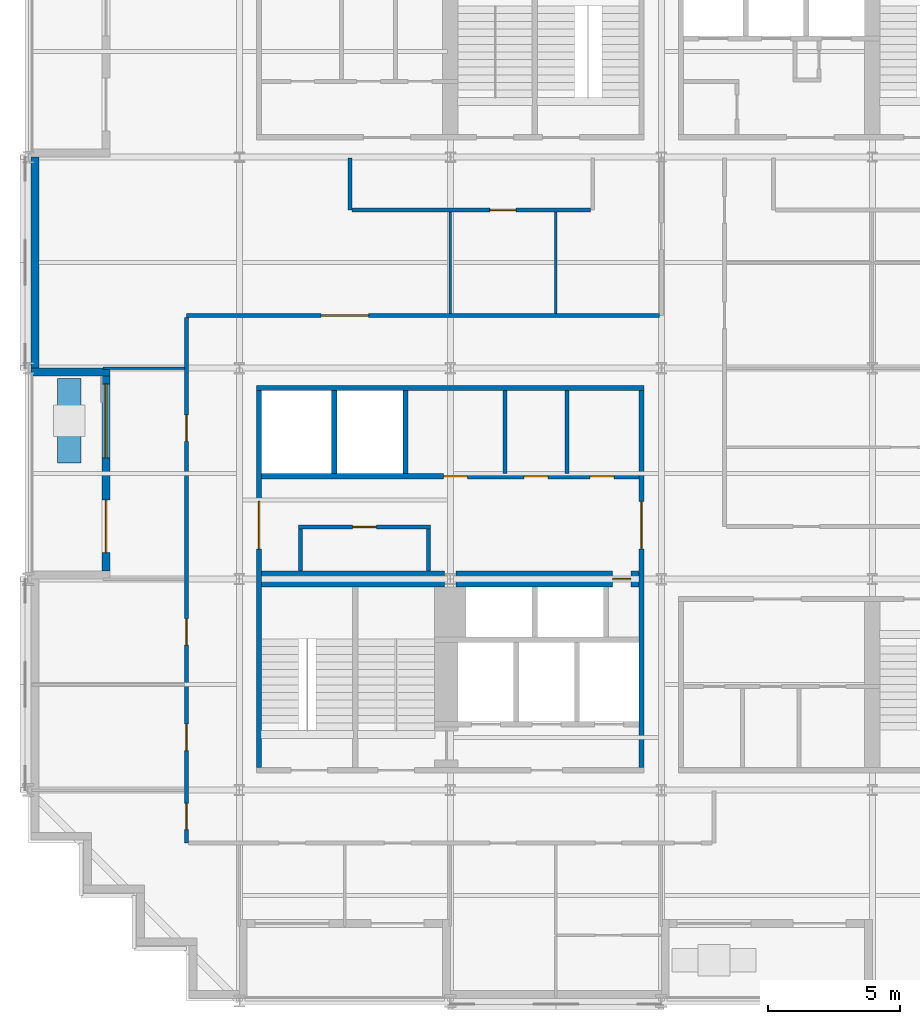
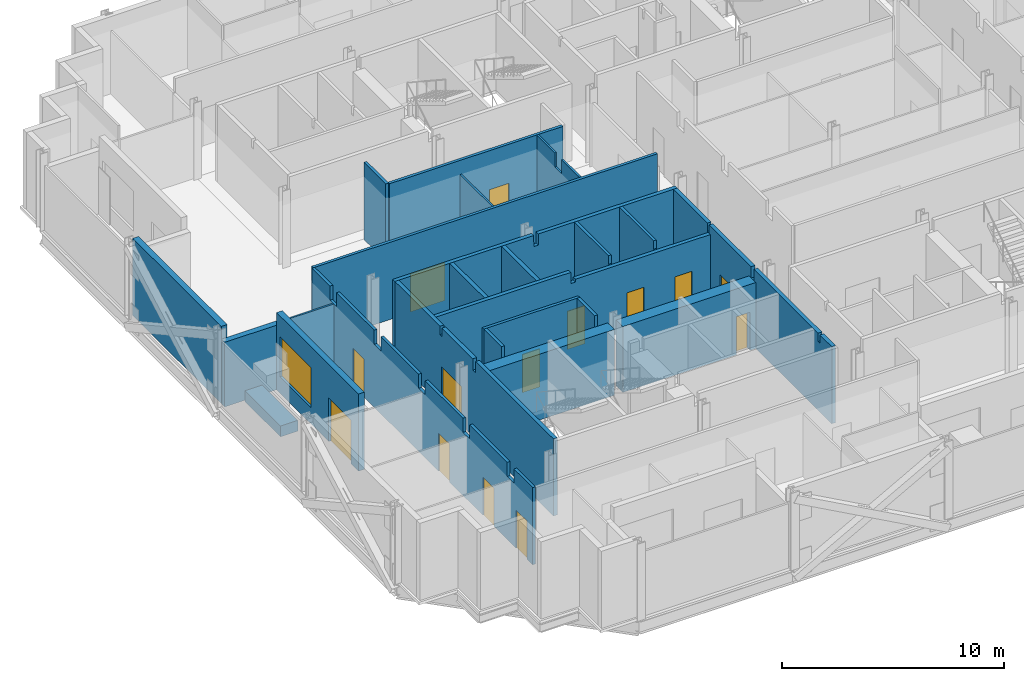
# One storey, part 7 of 15: 24 walls, 14 doors, 1 window, 15 openings.
"""IFC4 building model written with IfcOpenShell, lengths in metres."""

import ifcopenshell
import ifcopenshell.guid

model = None  # the IFC model being written
_history = None  # IfcOwnerHistory: only IFC2X3 demands one
_inside = {}  # id of a spatial element -> (the spatial element, [elements in it])
_under = {}  # id of a project, library or spatial element -> (it, [spatial elements below it])
_declared = {}  # id of a project -> (the project, [libraries it declares])
_typed = {}  # id of a type object -> (the type object, [elements of that type])
_made_of = {}  # id of a material, layer set ... -> (it, [elements and type objects made of it])


def new_model(schema):
    """Start an empty IFC model of exactly this schema.

    Asked for "IFC4X3", IfcOpenShell would pick the latest addendum, in which some entities
    have other attributes; the version numbers below select the first issue.
    IFC2X3 requires an IfcOwnerHistory on every rooted entity: one is made here for all.
    """
    global model, _history
    if schema == "IFC4X3":
        model = ifcopenshell.file(schema_version=(4, 3, 0, 0))
    else:
        model = ifcopenshell.file(schema=schema)
    _inside.clear()
    _under.clear()
    _declared.clear()
    _typed.clear()
    _made_of.clear()
    _history = None
    if model.schema == "IFC2X3":
        org = make("IfcOrganization", Name="unknown")
        user = make(
            "IfcPersonAndOrganization",
            ThePerson=make("IfcPerson", FamilyName="unknown"),
            TheOrganization=org,
        )
        app = make(
            "IfcApplication",
            ApplicationDeveloper=org,
            Version="unknown",
            ApplicationFullName="unknown",
            ApplicationIdentifier="unknown",
        )
        _history = make(
            "IfcOwnerHistory",
            OwningUser=user,
            OwningApplication=app,
            ChangeAction="ADDED",
            CreationDate=0,
        )
    return model


def make(cls, **values):
    """One entity of the class cls with the attributes given. An attribute that is None is left unset."""
    return model.create_entity(
        cls, **{name: value for name, value in values.items() if value is not None}
    )


def rooted(cls, **values):
    """An entity with a GlobalId (a new one), such as an element, a storey or a relation."""
    return make(cls, GlobalId=ifcopenshell.guid.new(), OwnerHistory=_history, **values)


def si_unit(unit_type, name, prefix=None):
    """IfcSIUnit, for example si_unit("LENGTHUNIT", "METRE", prefix="MILLI")."""
    return make("IfcSIUnit", UnitType=unit_type, Prefix=prefix, Name=name)


def assignment(units):
    """IfcUnitAssignment: the units of a project."""
    return None if units is None else make("IfcUnitAssignment", Units=units)


def point(xyz):
    """IfcCartesianPoint."""
    return None if xyz is None else make("IfcCartesianPoint", Coordinates=xyz)


def direction(xyz):
    """IfcDirection."""
    return None if xyz is None else make("IfcDirection", DirectionRatios=xyz)


def frame(location, z_axis=None, x_axis=None):
    """IfcAxis2Placement3D, a coordinate frame: its origin and axes. An axis left out is left unset."""
    return make(
        "IfcAxis2Placement3D",
        Location=point(location),
        Axis=direction(z_axis),
        RefDirection=direction(x_axis),
    )


def frame_2d(location, x_axis=None):
    """IfcAxis2Placement2D, a coordinate frame in the plane: its origin and x axis."""
    return make(
        "IfcAxis2Placement2D", Location=point(location), RefDirection=direction(x_axis)
    )


def origin():
    """The frame at (0, 0, 0) with its axes left unset."""
    return frame((0.0, 0.0, 0.0))


def place(relative_to, where):
    """IfcLocalPlacement: puts the frame where relative to a parent placement (None: the world)."""
    return make(
        "IfcLocalPlacement", PlacementRelTo=relative_to, RelativePlacement=where
    )


def context(
    kind, dimensions, precision=None, world=None, true_north=None, identifier=None
):
    """IfcGeometricRepresentationContext, for example the 3D "Model" context."""
    return make(
        "IfcGeometricRepresentationContext",
        ContextIdentifier=identifier,
        ContextType=kind,
        CoordinateSpaceDimension=dimensions,
        Precision=precision,
        WorldCoordinateSystem=world,
        TrueNorth=true_north,
    )


def subcontext(parent, identifier, kind, view, scale=None):
    """IfcGeometricRepresentationSubContext, for example "Body" below "Model"."""
    return make(
        "IfcGeometricRepresentationSubContext",
        ContextIdentifier=identifier,
        ContextType=kind,
        ParentContext=parent,
        TargetScale=scale,
        TargetView=view,
    )


def project(units=None, contexts=None):
    """IfcProject with its units and contexts."""
    return rooted(
        "IfcProject",
        Name="project",
        RepresentationContexts=contexts,
        UnitsInContext=assignment(units),
    )


def spatial(cls, under=None, at=None, **own):
    """A site, building, storey or space (cls), placed at a placement, below another one or the project."""
    s = rooted(cls, ObjectPlacement=at, **own)
    if under is not None:
        _under.setdefault(under.id(), (under, []))[1].append(s)
    return s


def polyline(points):
    """IfcPolyline through the points."""
    return make("IfcPolyline", Points=[point(p) for p in points])


def profile(cls, at=None, kind="AREA", **sizes):
    """A parametric profile (cls). Its sizes go by their IFC names, for example OverallWidth=200.0."""
    return make(cls, ProfileType=kind, Position=at, **sizes)


def rectangle(**sizes):
    """IfcRectangleProfileDef."""
    return profile("IfcRectangleProfileDef", **sizes)


def outline(outer, holes=None, kind="AREA"):
    """IfcArbitraryClosedProfileDef: a profile drawn as a closed curve; with holes, ...WithVoids."""
    if holes is None:
        return make("IfcArbitraryClosedProfileDef", ProfileType=kind, OuterCurve=outer)
    return make(
        "IfcArbitraryProfileDefWithVoids",
        ProfileType=kind,
        OuterCurve=outer,
        InnerCurves=holes,
    )


def extrude(swept, where, along, depth):
    """IfcExtrudedAreaSolid: the profile swept, set in the frame where, extruded along a direction by depth."""
    return make(
        "IfcExtrudedAreaSolid",
        SweptArea=swept,
        Position=where,
        ExtrudedDirection=direction(along),
        Depth=depth,
    )


def shape(context_of_items, identifier, shape_type, items):
    """IfcShapeRepresentation: the items that make up one representation, for example the "Body"."""
    return make(
        "IfcShapeRepresentation",
        ContextOfItems=context_of_items,
        RepresentationIdentifier=identifier,
        RepresentationType=shape_type,
        Items=items,
    )


def material(Name=None, Category=None):
    """IfcMaterial."""
    return make("IfcMaterial", Name=Name, Category=Category)


def layer(
    of_material, thickness, ventilated=None, Name=None, Category=None, Priority=None
):
    """IfcMaterialLayer: one layer of a wall or slab, of a material (None: an air gap)."""
    return make(
        "IfcMaterialLayer",
        Material=of_material,
        LayerThickness=thickness,
        IsVentilated=ventilated,
        Name=Name,
        Category=Category,
        Priority=Priority,
    )


def layer_set(layers, Name=None):
    """IfcMaterialLayerSet."""
    return make("IfcMaterialLayerSet", MaterialLayers=layers, LayerSetName=Name)


def made_of(thing, what):
    """Note that an element or type object is made of a material, layer set ...; save() writes the relation."""
    if what is not None:
        _made_of.setdefault(what.id(), (what, []))[1].append(thing)
    return thing


def type_object(cls, material=None, **own):
    """A type object (cls), such as IfcWallType, which elements share."""
    return made_of(rooted(cls, **own), material)


def element(
    cls,
    number,
    at=None,
    inside=None,
    cuts=None,
    type_object=None,
    material=None,
    context=None,
    identifier="Body",
    shape_type=None,
    held_by="IfcProductDefinitionShape",
    body=None,
    shapes=None,
    **own,
):
    """One element of the class cls, such as IfcWall. Its Tag is "e" and its number.

    at: its placement. inside: the storey or other place that contains it. cuts: it is an
    opening in that element (IfcRelVoidsElement). A single representation is given by context,
    identifier, shape_type and body (its items); several are given by shapes. held_by: the class
    of the entity that holds the representations. save() writes the other relations.
    """
    e = rooted(cls, Tag="e%d" % number, ObjectPlacement=at, **own)
    if body is not None:
        shapes = [shape(context, identifier, shape_type, body)]
    if shapes is not None:
        e.Representation = make(held_by, Representations=shapes)
    if inside is not None:
        _inside.setdefault(inside.id(), (inside, []))[1].append(e)
    if cuts is not None:
        rooted(
            "IfcRelVoidsElement", RelatingBuildingElement=cuts, RelatedOpeningElement=e
        )
    if type_object is not None:
        _typed.setdefault(type_object.id(), (type_object, []))[1].append(e)
    return made_of(e, material)


def fill(opening, filler):
    """IfcRelFillsElement: the door or window that sits in an opening."""
    return rooted(
        "IfcRelFillsElement",
        RelatingOpeningElement=opening,
        RelatedBuildingElement=filler,
    )


def aggregate(whole, parts):
    """IfcRelAggregates: a whole, such as a stair, and the parts it consists of."""
    return rooted("IfcRelAggregates", RelatingObject=whole, RelatedObjects=parts)


def save(model, path):
    """Write the relations noted so far, then the file.

    IfcRelAggregates (storeys below a building ...), IfcRelContainedInSpatialStructure (elements
    in a storey), IfcRelDefinesByType, IfcRelAssociatesMaterial and IfcRelDeclares: one each for
    every whole, place, type object, material and project.
    """
    for whole, parts in _under.values():
        aggregate(whole, parts)
    for where, things in _inside.values():
        rooted(
            "IfcRelContainedInSpatialStructure",
            RelatedElements=things,
            RelatingStructure=where,
        )
    for kind, things in _typed.values():
        rooted("IfcRelDefinesByType", RelatedObjects=things, RelatingType=kind)
    for what, things in _made_of.values():
        rooted("IfcRelAssociatesMaterial", RelatedObjects=things, RelatingMaterial=what)
    for by, libraries in _declared.values():
        rooted("IfcRelDeclares", RelatingContext=by, RelatedDefinitions=libraries)
    model.write(path)


model = new_model("IFC4")

# Units and contexts
model_context = context("Model", 3, precision=1e-05, world=origin(), true_north=direction((0.0, 1.0)))
body_context = subcontext(model_context, "Body", "Model", "MODEL_VIEW")
ifc_project = project(units=[si_unit("LENGTHUNIT", "METRE"), si_unit("AREAUNIT", "SQUARE_METRE"), si_unit("VOLUMEUNIT", "CUBIC_METRE"), si_unit("PLANEANGLEUNIT", "RADIAN"), si_unit("MASSUNIT", "GRAM", prefix="KILO")], contexts=[model_context])

# Site, building, storey
site_placement = place(None, origin())
site = spatial("IfcSite", under=ifc_project, at=site_placement, CompositionType="ELEMENT")
building_placement = place(site_placement, origin())
building = spatial("IfcBuilding", under=site, at=building_placement, Name="Immortelle Media Tower", CompositionType="ELEMENT")
storey_placement = place(building_placement, frame((0.0, 0.0, 70.0)))
storey = spatial("IfcBuildingStorey", under=building, at=storey_placement, Name="L12", CompositionType="ELEMENT", Elevation=70.0)

# Wall, opening, door
ifc_material_1 = material(Name="Fire-rated masonry blockwork", Category="masonry")
ifc_layer_1 = layer(ifc_material_1, 0.60009765625)
ifc_layer_set_1 = layer_set([ifc_layer_1], Name="Fire-rated masonry blockwork")
wall_type_1 = type_object("IfcWallType", Name="Core grid-line wall 600", PredefinedType="PARTITIONING", material=ifc_layer_set_1)
wall_1_placement = place(storey_placement, frame((16.218505859375, 16.0, 0.0), z_axis=(0.0, 0.0, 1.0), x_axis=(1.0, 0.0, 0.0)))
wall_1 = element("IfcWall", 1, at=wall_1_placement, inside=storey, type_object=wall_type_1, Name="Core grid-line wall SW", PredefinedType="PARTITIONING", context=body_context, shape_type="SweptSolid", body=[
    extrude(rectangle(XDim=6.931396484375, YDim=0.60009765625, at=frame_2d((3.4658203125, 0.0))), origin(), (0.0, 0.0, 1.0), 3.632080078125),
])
opening_1_placement = place(wall_1_placement, frame((6.63134765625, 0.0, 0.0), z_axis=(0.0, 0.0, 1.0), x_axis=(-1.0, 0.0, 0.0)))
opening_1 = element("IfcOpeningElement", 2, at=opening_1_placement, cuts=wall_1, Name="Opening N3-K013", PredefinedType="OPENING", context=body_context, shape_type="SweptSolid", body=[
    extrude(rectangle(XDim=0.699951171875, YDim=2.10009765625, at=frame_2d((0.35009765625, 1.050048828125))), frame((0.0, 0.31005859375, 0.0), z_axis=(0.0, -1.0, 0.0), x_axis=(1.0, 0.0, 0.0)), (0.0, 0.0, 1.0), 0.6201171875),
])
ifc_material_2 = material(Name="Galvanised steel door leaf and frame ASTM A653", Category="steel")
door_type_1 = type_object("IfcDoorType", Name="Service door 700 x 2100", OperationType="NOTDEFINED", PredefinedType="NOTDEFINED", material=ifc_material_2)
door_1_placement = place(opening_1_placement, origin())
door_1 = element("IfcDoor", 3, at=door_1_placement, inside=storey, type_object=door_type_1, Name="Service N3-K013", OperationType="SINGLE_SWING_RIGHT", OverallHeight=2.10009765625, OverallWidth=0.699951171875, PredefinedType="NOTDEFINED", context=body_context, shape_type="SweptSolid", body=[
    extrude(rectangle(XDim=0.699951171875, YDim=2.10009765625, at=frame_2d((0.35009765625, 1.050048828125))), frame((0.0, 0.02490234375, 0.0), z_axis=(0.0, -1.0, 0.0), x_axis=(1.0, 0.0, 0.0)), (0.0, 0.0, 1.0), 0.050048828125),
])
fill(opening_1, door_1)

# Wall
ifc_material_3 = material(Name="Fire-rated gypsum board", Category="gypsum")
ifc_layer_2 = layer(ifc_material_3, 0.02490234375)
ifc_material_4 = material(Name="Steel ASTM A653 SS Gr 50 stud frame with mineral wool", Category="steel")
ifc_layer_3 = layer(ifc_material_4, 0.10009765625)
ifc_layer_4 = layer(ifc_material_3, 0.02490234375)
ifc_layer_set_2 = layer_set([ifc_layer_2, ifc_layer_3, ifc_layer_4], Name="Steel ASTM A653 SS Gr 50 stud frame with mineral wool")
wall_type_2 = type_object("IfcWallType", Name="Core partition 150", PredefinedType="PARTITIONING", material=ifc_layer_set_2)
wall_2_placement = place(storey_placement, frame((10.324951171875, 16.300048828125, 0.0), z_axis=(0.0, 0.0, 1.0), x_axis=(0.0, 1.0, 0.0)))
element("IfcWall", 4, at=wall_2_placement, inside=storey, type_object=wall_type_2, Name="Core partition SW", PredefinedType="PARTITIONING", context=body_context, shape_type="SweptSolid", body=[
    extrude(rectangle(XDim=1.599853515625, YDim=0.14990234375, at=frame_2d((0.7998046875, 0.0))), origin(), (0.0, 0.0, 1.0), 4.25),
])

# Wall, opening, door
wall_3_placement = place(storey_placement, frame((10.25, 17.97509765625, 0.0), z_axis=(0.0, 0.0, 1.0), x_axis=(1.0, 0.0, 0.0)))
wall_3 = element("IfcWall", 5, at=wall_3_placement, inside=storey, type_object=wall_type_2, Name="Core partition SW", PredefinedType="PARTITIONING", context=body_context, shape_type="SweptSolid", body=[
    extrude(rectangle(XDim=5.0, YDim=0.14990234375, at=frame_2d((2.5, 0.0))), origin(), (0.0, 0.0, 1.0), 4.25),
])
opening_2_placement = place(wall_3_placement, frame((2.949951171875, 0.0, 0.0), z_axis=(0.0, 0.0, 1.0), x_axis=(-1.0, 0.0, 0.0)))
opening_2 = element("IfcOpeningElement", 6, at=opening_2_placement, cuts=wall_3, Name="Opening N3-K036", PredefinedType="OPENING", context=body_context, shape_type="SweptSolid", body=[
    extrude(rectangle(XDim=0.89990234375, YDim=2.10009765625, at=frame_2d((0.449951171875, 1.050048828125))), frame((0.0, 0.0849609375, 0.0), z_axis=(0.0, -1.0, 0.0), x_axis=(1.0, 0.0, 0.0)), (0.0, 0.0, 1.0), 0.169921875),
])
ifc_material_5 = material(Name="Timber", Category="wood")
door_type_2 = type_object("IfcDoorType", Name="Room door 900 x 2100", OperationType="NOTDEFINED", PredefinedType="NOTDEFINED", material=ifc_material_5)
door_2_placement = place(opening_2_placement, origin())
door_2 = element("IfcDoor", 7, at=door_2_placement, inside=storey, type_object=door_type_2, Name="Room N3-K036", OperationType="SINGLE_SWING_LEFT", OverallHeight=2.10009765625, OverallWidth=0.89990234375, PredefinedType="NOTDEFINED", context=body_context, shape_type="SweptSolid", body=[
    extrude(rectangle(XDim=0.89990234375, YDim=2.10009765625, at=frame_2d((0.449951171875, 1.050048828125))), frame((0.0, 0.02490234375, 0.0), z_axis=(0.0, -1.0, 0.0), x_axis=(1.0, 0.0, 0.0)), (0.0, 0.0, 1.0), 0.050048828125),
])
fill(opening_2, door_2)

# Walls
wall_4_placement = place(storey_placement, frame((15.175048828125, 16.300048828125, 0.0), z_axis=(0.0, 0.0, 1.0), x_axis=(0.0, 1.0, 0.0)))
element("IfcWall", 8, at=wall_4_placement, inside=storey, type_object=wall_type_2, Name="Core partition SW", PredefinedType="PARTITIONING", context=body_context, shape_type="SweptSolid", body=[
    extrude(rectangle(XDim=1.599853515625, YDim=0.14990234375, at=frame_2d((0.7998046875, 0.0))), origin(), (0.0, 0.0, 1.0), 4.25),
])
for number, where, z_axis, x_axis, name in (
    (9, (18.074951171875, 20.0, 0.0), (0.0, 0.0, 1.0), (0.0, 1.0, 0.0), "Core partition SW"),
    (10, (20.425048828125, 20.0, 0.0), (0.0, 0.0, 1.0), (0.0, 1.0, 0.0), "Core partition SW"),
):
    element("IfcWall", number, at=place(storey_placement, frame(where, z_axis=z_axis, x_axis=x_axis)), inside=storey, type_object=wall_type_2, Name=name, PredefinedType="PARTITIONING", context=body_context, shape_type="SweptSolid", body=[
        extrude(outline(polyline([(0.0, 0.0), (3.14990234375, 0.0), (3.14990234375, 4.25), (0.08154296875, 4.25), (0.08056640625, 3.7890625), (0.0, 3.7890625), (0.0, 0.0)])), frame((0.0, 0.074951171875, 0.0), z_axis=(0.0, -1.0, 0.0), x_axis=(1.0, 0.0, 0.0)), (0.0, 0.0, 1.0), 0.14990234375),
    ])
ifc_layer_5 = layer(ifc_material_3, 0.03759765625)
ifc_layer_6 = layer(ifc_material_4, 0.125)
ifc_layer_7 = layer(ifc_material_3, 0.03759765625)
ifc_layer_set_3 = layer_set([ifc_layer_5, ifc_layer_6, ifc_layer_7], Name="Steel ASTM A653 SS Gr 50 stud frame with mineral wool")
wall_type_3 = type_object("IfcWallType", Name="Core shaft wall 200", PredefinedType="PARTITIONING", material=ifc_layer_set_3)
wall_5_placement = place(storey_placement, frame((8.64990234375, 23.25, 0.0), z_axis=(0.0, 0.0, 1.0), x_axis=(1.0, 0.0, 0.0)))
element("IfcWall", 11, at=wall_5_placement, inside=storey, type_object=wall_type_3, Name="Core shaft wall SW", PredefinedType="PARTITIONING", context=body_context, shape_type="SweptSolid", body=[
    extrude(outline(polyline([(0.0, 0.0), (14.7001953125, 0.0), (14.699951171875, 4.25), (7.469482421875, 4.25), (7.468505859375, 3.632080078125), (7.2314453125, 3.632080078125), (7.23046875, 4.25), (0.0, 4.25), (0.0, 0.0)])), frame((0.0, 0.10009765625, 0.0), z_axis=(0.0, -1.0, 0.0), x_axis=(1.0, 0.0, 0.0)), (0.0, 0.0, 1.0), 0.199951171875),
])

# Wall, openings, doors
wall_6_placement = place(storey_placement, frame((8.85009765625, 19.89990234375, 0.0), z_axis=(0.0, 0.0, 1.0), x_axis=(1.0, 0.0, 0.0)))
wall_6 = element("IfcWall", 12, at=wall_6_placement, inside=storey, type_object=wall_type_3, Name="Core shaft wall SW", PredefinedType="PARTITIONING", context=body_context, shape_type="SweptSolid", body=[
    extrude(outline(polyline([(0.0, 0.0), (14.2998046875, 0.0), (14.300048828125, 3.7890625), (7.26953125, 3.7890625), (7.2685546875, 3.632080078125), (7.031494140625, 3.632080078125), (7.030517578125, 4.25), (0.0, 4.25), (0.0, 0.0)])), frame((0.0, 0.10009765625, 0.0), z_axis=(0.0, -1.0, 0.0), x_axis=(1.0, 0.0, 0.0)), (0.0, 0.0, 1.0), 0.199951171875),
])
opening_3_placement = place(wall_6_placement, frame((6.89990234375, 0.0, 0.0)))
opening_3 = element("IfcOpeningElement", 13, at=opening_3_placement, cuts=wall_6, Name="Opening N3-K037", PredefinedType="OPENING", context=body_context, shape_type="SweptSolid", body=[
    extrude(rectangle(XDim=0.89990234375, YDim=2.10009765625, at=frame_2d((0.449951171875, 1.050048828125))), frame((0.0, 0.10986328125, 0.0), z_axis=(0.0, -1.0, 0.0), x_axis=(1.0, 0.0, 0.0)), (0.0, 0.0, 1.0), 0.219970703125),
])
opening_4_placement = place(wall_6_placement, frame((9.949951171875, 0.0, 0.0)))
opening_4 = element("IfcOpeningElement", 14, at=opening_4_placement, cuts=wall_6, Name="Opening N3-K038", PredefinedType="OPENING", context=body_context, shape_type="SweptSolid", body=[
    extrude(rectangle(XDim=0.89990234375, YDim=2.10009765625, at=frame_2d((0.449951171875, 1.050048828125))), frame((0.0, 0.10986328125, 0.0), z_axis=(0.0, -1.0, 0.0), x_axis=(1.0, 0.0, 0.0)), (0.0, 0.0, 1.0), 0.219970703125),
])
opening_5_placement = place(wall_6_placement, frame((12.449951171875, 0.0, 0.0)))
opening_5 = element("IfcOpeningElement", 15, at=opening_5_placement, cuts=wall_6, Name="Opening N3-K039", PredefinedType="OPENING", context=body_context, shape_type="SweptSolid", body=[
    extrude(rectangle(XDim=0.89990234375, YDim=2.10009765625, at=frame_2d((0.449951171875, 1.050048828125))), frame((0.0, 0.10986328125, 0.0), z_axis=(0.0, -1.0, 0.0), x_axis=(1.0, 0.0, 0.0)), (0.0, 0.0, 1.0), 0.219970703125),
])
door_3_placement = place(opening_3_placement, origin())
door_3 = element("IfcDoor", 16, at=door_3_placement, inside=storey, type_object=door_type_2, Name="Room N3-K037", OperationType="SINGLE_SWING_LEFT", OverallHeight=2.10009765625, OverallWidth=0.89990234375, PredefinedType="NOTDEFINED", context=body_context, shape_type="SweptSolid", body=[
    extrude(rectangle(XDim=0.89990234375, YDim=2.10009765625, at=frame_2d((0.449951171875, 1.050048828125))), frame((0.0, 0.02490234375, 0.0), z_axis=(0.0, -1.0, 0.0), x_axis=(1.0, 0.0, 0.0)), (0.0, 0.0, 1.0), 0.050048828125),
])
fill(opening_3, door_3)
door_type_3 = type_object("IfcDoorType", Name="Toilet door 900 x 2100", OperationType="NOTDEFINED", PredefinedType="NOTDEFINED", material=ifc_material_5)
door_4_placement = place(opening_4_placement, origin())
door_4 = element("IfcDoor", 17, at=door_4_placement, inside=storey, type_object=door_type_3, Name="Toilet N3-K038", OperationType="SINGLE_SWING_LEFT", OverallHeight=2.10009765625, OverallWidth=0.89990234375, PredefinedType="NOTDEFINED", context=body_context, shape_type="SweptSolid", body=[
    extrude(rectangle(XDim=0.89990234375, YDim=2.10009765625, at=frame_2d((0.449951171875, 1.050048828125))), frame((0.0, 0.02490234375, 0.0), z_axis=(0.0, -1.0, 0.0), x_axis=(1.0, 0.0, 0.0)), (0.0, 0.0, 1.0), 0.050048828125),
])
fill(opening_4, door_4)
door_5_placement = place(opening_5_placement, origin())
door_5 = element("IfcDoor", 18, at=door_5_placement, inside=storey, type_object=door_type_3, Name="Toilet N3-K039", OperationType="SINGLE_SWING_LEFT", OverallHeight=2.10009765625, OverallWidth=0.89990234375, PredefinedType="NOTDEFINED", context=body_context, shape_type="SweptSolid", body=[
    extrude(rectangle(XDim=0.89990234375, YDim=2.10009765625, at=frame_2d((0.449951171875, 1.050048828125))), frame((0.0, 0.02490234375, 0.0), z_axis=(0.0, -1.0, 0.0), x_axis=(1.0, 0.0, 0.0)), (0.0, 0.0, 1.0), 0.050048828125),
])
fill(opening_5, door_5)

# Walls
for number, where, z_axis, x_axis, name in (
    (19, (11.60009765625, 20.0, 0.0), (0.0, 0.0, 1.0), (0.0, 1.0, 0.0), "Core shaft wall SW"),
    (20, (14.300048828125, 20.0, 0.0), (0.0, 0.0, 1.0), (0.0, 1.0, 0.0), "Core shaft wall SW"),
):
    element("IfcWall", number, at=place(storey_placement, frame(where, z_axis=z_axis, x_axis=x_axis)), inside=storey, type_object=wall_type_3, Name=name, PredefinedType="PARTITIONING", context=body_context, shape_type="SweptSolid", body=[
        extrude(rectangle(XDim=3.14990234375, YDim=0.199951171875, at=frame_2d((1.574951171875, 0.0))), origin(), (0.0, 0.0, 1.0), 4.25),
    ])

# Wall, opening, door
wall_7_placement = place(storey_placement, frame((23.25, 8.85009765625, 0.0), z_axis=(0.0, 0.0, 1.0), x_axis=(0.0, 1.0, 0.0)))
wall_7 = element("IfcWall", 21, at=wall_7_placement, inside=storey, type_object=wall_type_3, Name="Core shaft wall SW", PredefinedType="PARTITIONING", context=body_context, shape_type="SweptSolid", body=[
    extrude(outline(polyline([(0.0, 0.0), (14.2998046875, 0.0), (14.300048828125, 4.25), (11.2314453125, 4.25), (11.23046875, 3.7890625), (11.069580078125, 3.7890625), (11.068603515625, 4.25), (7.26953125, 4.25), (7.2685546875, 3.632080078125), (7.031494140625, 3.632080078125), (7.030517578125, 4.25), (1.2314453125, 4.25), (1.23046875, 3.7890625), (1.069580078125, 3.7890625), (1.068603515625, 4.25), (0.0, 4.25), (0.0, 0.0)])), frame((0.0, 0.10009765625, 0.0), z_axis=(0.0, -1.0, 0.0), x_axis=(1.0, 0.0, 0.0)), (0.0, 0.0, 1.0), 0.199951171875),
])
opening_6_placement = place(wall_7_placement, frame((8.300048828125, 0.0, 0.0)))
opening_6 = element("IfcOpeningElement", 22, at=opening_6_placement, cuts=wall_7, Name="Opening N3-K014", PredefinedType="OPENING", context=body_context, shape_type="SweptSolid", body=[
    extrude(rectangle(XDim=1.800048828125, YDim=2.10009765625, at=frame_2d((0.89990234375, 1.050048828125))), frame((0.0, 0.10986328125, 0.0), z_axis=(0.0, -1.0, 0.0), x_axis=(1.0, 0.0, 0.0)), (0.0, 0.0, 1.0), 0.219970703125),
])
door_type_4 = type_object("IfcDoorType", Name="Lift lobby door 1800 x 2100", OperationType="DOUBLE_DOOR_SINGLE_SWING", PredefinedType="NOTDEFINED", material=ifc_material_2)
door_6_placement = place(opening_6_placement, origin())
door_6 = element("IfcDoor", 23, at=door_6_placement, inside=storey, type_object=door_type_4, Name="Lift lobby N3-K014", OperationType="DOUBLE_DOOR_SINGLE_SWING", OverallHeight=2.10009765625, OverallWidth=1.800048828125, PredefinedType="NOTDEFINED", context=body_context, shape_type="SweptSolid", body=[
    extrude(rectangle(XDim=1.800048828125, YDim=2.10009765625, at=frame_2d((0.89990234375, 1.050048828125))), frame((0.0, 0.02490234375, 0.0), z_axis=(0.0, -1.0, 0.0), x_axis=(1.0, 0.0, 0.0)), (0.0, 0.0, 1.0), 0.050048828125),
])
fill(opening_6, door_6)

# Wall, openings, doors
ifc_layer_8 = layer(ifc_material_3, 0.012451171875)
ifc_layer_9 = layer(ifc_material_4, 0.125)
ifc_layer_10 = layer(ifc_material_3, 0.012451171875)
ifc_layer_set_4 = layer_set([ifc_layer_8, ifc_layer_9, ifc_layer_10], Name="Steel ASTM A653 SS Gr 50 stud frame with mineral wool")
wall_type_4 = type_object("IfcWallType", Name="Corridor wall 150", PredefinedType="PARTITIONING", material=ifc_layer_set_4)
wall_8_placement = place(storey_placement, frame((6.0, 6.0, 0.0), z_axis=(0.0, 0.0, 1.0), x_axis=(0.0, 1.0, 0.0)))
wall_8 = element("IfcWall", 24, at=wall_8_placement, inside=storey, type_object=wall_type_4, Name="Partition L12-009", PredefinedType="PARTITIONING", context=body_context, shape_type="SweptSolid", body=[
    extrude(outline(polyline([(0.0, 0.0), (19.925048828125, 0.0), (19.925048828125, 4.25), (18.300048828125, 4.25), (18.298095703125, 3.469970703125), (17.701904296875, 3.469970703125), (17.699951171875, 4.25), (14.300048828125, 4.25), (14.298095703125, 3.469970703125), (13.701904296875, 3.469970703125), (13.699951171875, 4.25), (10.300048828125, 4.25), (10.298095703125, 3.469970703125), (9.701904296875, 3.469970703125), (9.699951171875, 4.25), (6.300048828125, 4.25), (6.298095703125, 3.469970703125), (5.701904296875, 3.469970703125), (5.699951171875, 4.25), (2.300048828125, 4.25), (2.298095703125, 3.469970703125), (1.701904296875, 3.469970703125), (1.699951171875, 4.25), (0.0, 4.25), (0.0, 0.0)])), frame((0.0, 0.074951171875, 0.0), z_axis=(0.0, -1.0, 0.0), x_axis=(1.0, 0.0, 0.0)), (0.0, 0.0, 1.0), 0.14990234375),
])
opening_7_placement = place(wall_8_placement, frame((0.5, 0.0, 0.0)))
opening_7 = element("IfcOpeningElement", 25, at=opening_7_placement, cuts=wall_8, Name="Opening N3-F007", PredefinedType="OPENING", context=body_context, shape_type="SweptSolid", body=[
    extrude(rectangle(XDim=1.0, YDim=2.10009765625, at=frame_2d((0.5, 1.050048828125))), frame((0.0, 0.0849609375, 0.0), z_axis=(0.0, -1.0, 0.0), x_axis=(1.0, 0.0, 0.0)), (0.0, 0.0, 1.0), 0.169921875),
])
opening_8_placement = place(wall_8_placement, frame((3.5, 0.0, 0.0)))
opening_8 = element("IfcOpeningElement", 26, at=opening_8_placement, cuts=wall_8, Name="Opening N3-F008", PredefinedType="OPENING", context=body_context, shape_type="SweptSolid", body=[
    extrude(rectangle(XDim=1.0, YDim=2.10009765625, at=frame_2d((0.5, 1.050048828125))), frame((0.0, 0.0849609375, 0.0), z_axis=(0.0, -1.0, 0.0), x_axis=(1.0, 0.0, 0.0)), (0.0, 0.0, 1.0), 0.169921875),
])
opening_9_placement = place(wall_8_placement, frame((7.5, 0.0, 0.0)))
opening_9 = element("IfcOpeningElement", 27, at=opening_9_placement, cuts=wall_8, Name="Opening N3-F009", PredefinedType="OPENING", context=body_context, shape_type="SweptSolid", body=[
    extrude(rectangle(XDim=1.0, YDim=2.10009765625, at=frame_2d((0.5, 1.050048828125))), frame((0.0, 0.0849609375, 0.0), z_axis=(0.0, -1.0, 0.0), x_axis=(1.0, 0.0, 0.0)), (0.0, 0.0, 1.0), 0.169921875),
])
opening_10_placement = place(wall_8_placement, frame((15.22509765625, 0.0, 0.0)))
opening_10 = element("IfcOpeningElement", 28, at=opening_10_placement, cuts=wall_8, Name="Opening N3-F011", PredefinedType="OPENING", context=body_context, shape_type="SweptSolid", body=[
    extrude(rectangle(XDim=1.0, YDim=2.10009765625, at=frame_2d((0.5, 1.050048828125))), frame((0.0, 0.0849609375, 0.0), z_axis=(0.0, -1.0, 0.0), x_axis=(1.0, 0.0, 0.0)), (0.0, 0.0, 1.0), 0.169921875),
])
ifc_material_6 = material(Name="Timber veneered door leaf, galvanised steel frame ASTM A653", Category="steel")
door_type_5 = type_object("IfcDoorType", Name="Room door 1000 x 2100", OperationType="NOTDEFINED", PredefinedType="DOOR", material=ifc_material_6)
door_7_placement = place(opening_7_placement, origin())
door_7 = element("IfcDoor", 29, at=door_7_placement, inside=storey, type_object=door_type_5, Name="Door N3-F007", OperationType="SINGLE_SWING_RIGHT", OverallHeight=2.10009765625, OverallWidth=1.0, PredefinedType="DOOR", context=body_context, shape_type="SweptSolid", body=[
    extrude(rectangle(XDim=1.0, YDim=2.10009765625, at=frame_2d((0.5, 1.050048828125))), frame((0.0, 0.02490234375, 0.0), z_axis=(0.0, -1.0, 0.0), x_axis=(1.0, 0.0, 0.0)), (0.0, 0.0, 1.0), 0.050048828125),
])
fill(opening_7, door_7)
door_8_placement = place(opening_8_placement, origin())
door_8 = element("IfcDoor", 30, at=door_8_placement, inside=storey, type_object=door_type_5, Name="Door N3-F008", OperationType="SINGLE_SWING_LEFT", OverallHeight=2.10009765625, OverallWidth=1.0, PredefinedType="DOOR", context=body_context, shape_type="SweptSolid", body=[
    extrude(rectangle(XDim=1.0, YDim=2.10009765625, at=frame_2d((0.5, 1.050048828125))), frame((0.0, 0.02490234375, 0.0), z_axis=(0.0, -1.0, 0.0), x_axis=(1.0, 0.0, 0.0)), (0.0, 0.0, 1.0), 0.050048828125),
])
fill(opening_8, door_8)
door_9_placement = place(opening_9_placement, origin())
door_9 = element("IfcDoor", 31, at=door_9_placement, inside=storey, type_object=door_type_5, Name="Door N3-F009", OperationType="SINGLE_SWING_RIGHT", OverallHeight=2.10009765625, OverallWidth=1.0, PredefinedType="DOOR", context=body_context, shape_type="SweptSolid", body=[
    extrude(rectangle(XDim=1.0, YDim=2.10009765625, at=frame_2d((0.5, 1.050048828125))), frame((0.0, 0.02490234375, 0.0), z_axis=(0.0, -1.0, 0.0), x_axis=(1.0, 0.0, 0.0)), (0.0, 0.0, 1.0), 0.050048828125),
])
fill(opening_9, door_9)
door_10_placement = place(opening_10_placement, origin())
door_10 = element("IfcDoor", 32, at=door_10_placement, inside=storey, type_object=door_type_5, Name="Door N3-F011", OperationType="SINGLE_SWING_RIGHT", OverallHeight=2.10009765625, OverallWidth=1.0, PredefinedType="DOOR", context=body_context, shape_type="SweptSolid", body=[
    extrude(rectangle(XDim=1.0, YDim=2.10009765625, at=frame_2d((0.5, 1.050048828125))), frame((0.0, 0.02490234375, 0.0), z_axis=(0.0, -1.0, 0.0), x_axis=(1.0, 0.0, 0.0)), (0.0, 0.0, 1.0), 0.050048828125),
])
fill(opening_10, door_10)

# Wall, opening, door
wall_9_placement = place(storey_placement, frame((6.0, 26.0, 0.0), z_axis=(0.0, 0.0, 1.0), x_axis=(1.0, 0.0, 0.0)))
wall_9 = element("IfcWall", 33, at=wall_9_placement, inside=storey, type_object=wall_type_4, Name="Partition L12-030", PredefinedType="PARTITIONING", context=body_context, shape_type="SweptSolid", body=[
    extrude(rectangle(XDim=17.925048828125, YDim=0.14990234375, at=frame_2d((8.96240234375, 0.0))), origin(), (0.0, 0.0, 1.0), 4.25),
])
opening_11_placement = place(wall_9_placement, frame((5.10009765625, 0.0, 0.0)))
opening_11 = element("IfcOpeningElement", 34, at=opening_11_placement, cuts=wall_9, Name="Opening N3-F025", PredefinedType="OPENING", context=body_context, shape_type="SweptSolid", body=[
    extrude(rectangle(XDim=1.800048828125, YDim=2.10009765625, at=frame_2d((0.89990234375, 1.050048828125))), frame((0.0, 0.0849609375, 0.0), z_axis=(0.0, -1.0, 0.0), x_axis=(1.0, 0.0, 0.0)), (0.0, 0.0, 1.0), 0.169921875),
])
door_type_6 = type_object("IfcDoorType", Name="Room door 1800 x 2100", OperationType="DOUBLE_DOOR_SINGLE_SWING", PredefinedType="DOOR", material=ifc_material_6)
door_11_placement = place(opening_11_placement, origin())
door_11 = element("IfcDoor", 35, at=door_11_placement, inside=storey, type_object=door_type_6, Name="Door N3-F025", OperationType="DOUBLE_DOOR_SINGLE_SWING", OverallHeight=2.10009765625, OverallWidth=1.800048828125, PredefinedType="DOOR", context=body_context, shape_type="SweptSolid", body=[
    extrude(rectangle(XDim=1.800048828125, YDim=2.10009765625, at=frame_2d((0.89990234375, 1.050048828125))), frame((0.0, 0.02490234375, 0.0), z_axis=(0.0, -1.0, 0.0), x_axis=(1.0, 0.0, 0.0)), (0.0, 0.0, 1.0), 0.050048828125),
])
fill(opening_11, door_11)

wall_10_placement = place(storey_placement, frame((12.27490234375, 30.0, 0.0), z_axis=(0.0, 0.0, 1.0), x_axis=(1.0, 0.0, 0.0)))
wall_10 = element("IfcWall", 36, at=wall_10_placement, inside=storey, type_object=wall_type_4, Name="Partition L12-039", PredefinedType="PARTITIONING", context=body_context, shape_type="SweptSolid", body=[
    extrude(rectangle(XDim=9.050048828125, YDim=0.14990234375, at=frame_2d((4.52490234375, 0.0))), origin(), (0.0, 0.0, 1.0), 4.25),
])
opening_12_placement = place(wall_10_placement, frame((6.22509765625, 0.0, 0.0), z_axis=(0.0, 0.0, 1.0), x_axis=(-1.0, 0.0, 0.0)))
opening_12 = element("IfcOpeningElement", 37, at=opening_12_placement, cuts=wall_10, Name="Opening N3-F023", PredefinedType="OPENING", context=body_context, shape_type="SweptSolid", body=[
    extrude(rectangle(XDim=1.0, YDim=2.10009765625, at=frame_2d((0.5, 1.050048828125))), frame((0.0, 0.0849609375, 0.0), z_axis=(0.0, -1.0, 0.0), x_axis=(1.0, 0.0, 0.0)), (0.0, 0.0, 1.0), 0.169921875),
])
door_12_placement = place(opening_12_placement, origin())
door_12 = element("IfcDoor", 38, at=door_12_placement, inside=storey, type_object=door_type_5, Name="Door N3-F023", OperationType="SINGLE_SWING_RIGHT", OverallHeight=2.10009765625, OverallWidth=1.0, PredefinedType="DOOR", context=body_context, shape_type="SweptSolid", body=[
    extrude(rectangle(XDim=1.0, YDim=2.10009765625, at=frame_2d((0.5, 1.050048828125))), frame((0.0, 0.02490234375, 0.0), z_axis=(0.0, -1.0, 0.0), x_axis=(1.0, 0.0, 0.0)), (0.0, 0.0, 1.0), 0.050048828125),
])
fill(opening_12, door_12)

# Walls
wall_11_placement = place(storey_placement, frame((12.199951171875, 30.0, 0.0), z_axis=(0.0, 0.0, 1.0), x_axis=(0.0, 1.0, 0.0)))
element("IfcWall", 39, at=wall_11_placement, inside=storey, type_object=wall_type_4, Name="Partition L12-040", PredefinedType="PARTITIONING", context=body_context, shape_type="SweptSolid", body=[
    extrude(rectangle(XDim=1.969970703125, YDim=0.14990234375, at=frame_2d((0.98486328125, 0.0))), origin(), (0.0, 0.0, 1.0), 4.25),
])
ifc_material_7 = material(Name="Pale aluminium cladding panel", Category="aluminium")
ifc_layer_11 = layer(ifc_material_7, 0.030029296875)
ifc_layer_12 = layer(ifc_material_4, 0.257568359375)
ifc_material_8 = material(Name="Moisture-resistant gypsum board", Category="gypsum")
ifc_layer_13 = layer(ifc_material_8, 0.012451171875)
ifc_layer_set_5 = layer_set([ifc_layer_11, ifc_layer_12, ifc_layer_13], Name="Steel ASTM A653 SS Gr 50 stud frame with mineral wool")
wall_type_5 = type_object("IfcWallType", Name="Facade wall 300", PredefinedType="SOLIDWALL", material=ifc_layer_set_5)
wall_12_placement = place(storey_placement, frame((0.25, 32.0, 0.0), z_axis=(0.0, 0.0, 1.0), x_axis=(0.0, -1.0, 0.0)))
element("IfcWall", 40, at=wall_12_placement, inside=storey, type_object=wall_type_5, Name="Facade wall L12 W0", PredefinedType="SOLIDWALL", context=body_context, shape_type="SweptSolid", body=[
    extrude(rectangle(XDim=8.0, YDim=0.300048828125, at=frame_2d((4.0, 0.0))), origin(), (0.0, 0.0, 1.0), 4.25),
])

# Wall, openings, door, window
wall_13_placement = place(storey_placement, frame((2.949951171875, 23.699951171875, 0.0), z_axis=(0.0, 0.0, 1.0), x_axis=(0.0, -1.0, 0.0)))
wall_13 = element("IfcWall", 41, at=wall_13_placement, inside=storey, type_object=wall_type_5, Name="Loggia wall L12 W0", PredefinedType="SOLIDWALL", context=body_context, shape_type="SweptSolid", body=[
    extrude(rectangle(XDim=7.39990234375, YDim=0.300048828125, at=frame_2d((3.699951171875, 0.0))), origin(), (0.0, 0.0, 1.0), 4.25),
])
opening_13_placement = place(wall_13_placement, frame((0.300048828125, 0.0, 0.89990234375)))
opening_13 = element("IfcOpeningElement", 42, at=opening_13_placement, cuts=wall_13, Name="Opening W1", PredefinedType="OPENING", context=body_context, shape_type="SweptSolid", body=[
    extrude(rectangle(XDim=2.800048828125, YDim=2.199951171875, at=frame_2d((1.39990234375, 1.10009765625))), frame((0.0, 0.159912109375, 0.0), z_axis=(0.0, -1.0, 0.0), x_axis=(1.0, 0.0, 0.0)), (0.0, 0.0, 1.0), 0.320068359375),
])
opening_14_placement = place(wall_13_placement, frame((4.699951171875, 0.0, 0.0)))
opening_14 = element("IfcOpeningElement", 43, at=opening_14_placement, cuts=wall_13, Name="Opening N3-E002", PredefinedType="OPENING", context=body_context, shape_type="SweptSolid", body=[
    extrude(rectangle(XDim=2.0, YDim=2.39990234375, at=frame_2d((1.0, 1.199951171875))), frame((0.0, 0.159912109375, 0.0), z_axis=(0.0, -1.0, 0.0), x_axis=(1.0, 0.0, 0.0)), (0.0, 0.0, 1.0), 0.320068359375),
])
ifc_material_9 = material(Name="Aluminium frame, glazed leaves", Category="aluminium")
door_type_7 = type_object("IfcDoorType", Name="Loggia door 2000 x 2400", OperationType="DOUBLE_DOOR_SINGLE_SWING", PredefinedType="DOOR", material=ifc_material_9)
door_13_placement = place(opening_14_placement, origin())
door_13 = element("IfcDoor", 44, at=door_13_placement, inside=storey, type_object=door_type_7, Name="Door N3-E002", OperationType="DOUBLE_DOOR_SINGLE_SWING", OverallHeight=2.39990234375, OverallWidth=2.0, PredefinedType="DOOR", context=body_context, shape_type="SweptSolid", body=[
    extrude(rectangle(XDim=2.0, YDim=2.39990234375, at=frame_2d((1.0, 1.199951171875))), frame((0.0, 0.02490234375, 0.0), z_axis=(0.0, -1.0, 0.0), x_axis=(1.0, 0.0, 0.0)), (0.0, 0.0, 1.0), 0.050048828125),
])
fill(opening_14, door_13)
ifc_material_10 = material(Name="Aluminium frame", Category="aluminium")
window_type = type_object("IfcWindowType", Name="Window 2800 x 2200", PartitioningType="SINGLE_PANEL", PredefinedType="WINDOW", material=ifc_material_10)
window_placement = place(opening_13_placement, origin())
window = element("IfcWindow", 45, at=window_placement, inside=storey, type_object=window_type, Name="Window L12 L12-R0-B2", OverallHeight=2.199951171875, OverallWidth=2.800048828125, PartitioningType="SINGLE_PANEL", PredefinedType="WINDOW", context=body_context, shape_type="SweptSolid", body=[
    extrude(rectangle(XDim=2.800048828125, YDim=2.199951171875, at=frame_2d((1.39990234375, 1.10009765625))), frame((0.0, 0.030029296875, 0.0), z_axis=(0.0, -1.0, 0.0), x_axis=(1.0, 0.0, 0.0)), (0.0, 0.0, 1.0), 0.06005859375),
])
fill(opening_13, window)

# Walls
wall_14_placement = place(storey_placement, frame((0.10009765625, 23.85009765625, 0.0), z_axis=(0.0, 0.0, 1.0), x_axis=(1.0, 0.0, 0.0)))
element("IfcWall", 46, at=wall_14_placement, inside=storey, type_object=wall_type_5, Name="Loggia cheek wall L12 W", PredefinedType="SOLIDWALL", context=body_context, shape_type="SweptSolid", body=[
    extrude(rectangle(XDim=3.0, YDim=0.300048828125, at=frame_2d((1.5, 0.0))), origin(), (0.0, 0.0, 1.0), 3.555908203125),
])
ifc_material_11 = material(Name="Gypsum board", Category="gypsum")
ifc_layer_14 = layer(ifc_material_11, 0.012451171875)
ifc_layer_15 = layer(ifc_material_4, 0.074951171875)
ifc_layer_16 = layer(ifc_material_11, 0.012451171875)
ifc_layer_set_6 = layer_set([ifc_layer_14, ifc_layer_15, ifc_layer_16], Name="Steel ASTM A653 SS Gr 50 stud frame with mineral wool")
wall_type_6 = type_object("IfcWallType", Name="Partition 100", PredefinedType="PARTITIONING", material=ifc_layer_set_6)
wall_15_placement = place(storey_placement, frame((2.830078125, 24.0, 0.0), z_axis=(0.0, 0.0, 1.0), x_axis=(1.0, 0.0, 0.0)))
element("IfcWall", 47, at=wall_15_placement, inside=storey, type_object=wall_type_6, Name="Partition L12-023", PredefinedType="PARTITIONING", context=body_context, shape_type="SweptSolid", body=[
    extrude(rectangle(XDim=3.094970703125, YDim=0.10009765625, at=frame_2d((1.54736328125, 0.0))), origin(), (0.0, 0.0, 1.0), 3.469970703125),
])
wall_16_placement = place(storey_placement, frame((16.0, 26.074951171875, 0.0), z_axis=(0.0, 0.0, 1.0), x_axis=(0.0, 1.0, 0.0)))
element("IfcWall", 48, at=wall_16_placement, inside=storey, type_object=wall_type_6, Name="Partition L12-031", PredefinedType="PARTITIONING", context=body_context, shape_type="SweptSolid", body=[
    extrude(rectangle(XDim=3.85009765625, YDim=0.10009765625, at=frame_2d((1.925048828125, 0.0))), origin(), (0.0, 0.0, 1.0), 3.469970703125),
])
wall_17_placement = place(storey_placement, frame((20.0, 26.074951171875, 0.0), z_axis=(0.0, 0.0, 1.0), x_axis=(0.0, 1.0, 0.0)))
element("IfcWall", 49, at=wall_17_placement, inside=storey, type_object=wall_type_6, Name="Partition L12-032", PredefinedType="PARTITIONING", context=body_context, shape_type="SweptSolid", body=[
    extrude(outline(polyline([(0.0, 0.0), (3.85009765625, 0.0), (3.85009765625, 4.25), (2.22509765625, 4.25), (2.222900390625, 3.469970703125), (1.626953125, 3.469970703125), (1.625, 4.25), (0.0, 4.25), (0.0, 0.0)])), frame((0.0, 0.050048828125, 0.0), z_axis=(0.0, -1.0, 0.0), x_axis=(1.0, 0.0, 0.0)), (0.0, 0.0, 1.0), 0.10009765625),
])
ifc_layer_17 = layer(ifc_material_7, 0.0029296875)
ifc_material_12 = material(Name="Steel ASTM A572 Gr 50 planter shell", Category="steel")
ifc_layer_18 = layer(ifc_material_12, 0.011962890625)
ifc_material_13 = material(Name="Planting substrate", Category="soil")
ifc_layer_19 = layer(ifc_material_13, 0.873046875)
ifc_layer_20 = layer(ifc_material_12, 0.011962890625)
ifc_layer_set_7 = layer_set([ifc_layer_17, ifc_layer_18, ifc_layer_19, ifc_layer_20], Name="Steel ASTM A572 Gr 50 planter shell")
wall_type_7 = type_object("IfcWallType", Name="Planter wall 900", PredefinedType="SOLIDWALL", material=ifc_layer_set_7)
wall_18_placement = place(storey_placement, frame((1.550048828125, 23.60009765625, 0.0), z_axis=(0.0, 0.0, 1.0), x_axis=(0.0, -1.0, 0.0)))
element("IfcWall", 50, at=wall_18_placement, inside=storey, type_object=wall_type_7, Name="Planter L12 W2", PredefinedType="SOLIDWALL", context=body_context, shape_type="SweptSolid", body=[
    extrude(rectangle(XDim=3.2001953125, YDim=0.89990234375, at=frame_2d((1.60009765625, 0.0))), origin(), (0.0, 0.0, 1.0), 0.60009765625),
])

# Wall, opening, door
ifc_material_14 = material(Name="Concrete C60", Category="concrete")
ifc_layer_21 = layer(ifc_material_14, 0.199951171875)
ifc_layer_set_8 = layer_set([ifc_layer_21], Name="Concrete C60")
wall_type_8 = type_object("IfcWallType", Name="Stair shaft wall 200", PredefinedType="PARTITIONING", material=ifc_layer_set_8)
wall_19_placement = place(storey_placement, frame((8.75, 8.85009765625, 0.0), z_axis=(0.0, 0.0, 1.0), x_axis=(0.0, 1.0, 0.0)))
wall_19 = element("IfcWall", 51, at=wall_19_placement, inside=storey, type_object=wall_type_8, Name="Stair shaft wall SW", PredefinedType="PARTITIONING", context=body_context, shape_type="SweptSolid", body=[
    extrude(outline(polyline([(0.0, 0.0), (14.2998046875, 0.0), (14.300048828125, 4.25), (10.2314453125, 4.25), (10.23046875, 3.7890625), (10.069580078125, 3.7890625), (10.068603515625, 4.25), (7.26953125, 4.25), (7.2685546875, 3.632080078125), (7.031494140625, 3.632080078125), (7.030517578125, 4.25), (0.0, 4.25), (0.0, 0.0)])), frame((0.0, 0.10009765625, 0.0), z_axis=(0.0, -1.0, 0.0), x_axis=(1.0, 0.0, 0.0)), (0.0, 0.0, 1.0), 0.199951171875),
])
opening_15_placement = place(wall_19_placement, frame((8.300048828125, 0.0, 0.0)))
opening_15 = element("IfcOpeningElement", 52, at=opening_15_placement, cuts=wall_19, Name="Opening N3-K001", PredefinedType="OPENING", context=body_context, shape_type="SweptSolid", body=[
    extrude(rectangle(XDim=1.800048828125, YDim=2.10009765625, at=frame_2d((0.89990234375, 1.050048828125))), frame((0.0, 0.10986328125, 0.0), z_axis=(0.0, -1.0, 0.0), x_axis=(1.0, 0.0, 0.0)), (0.0, 0.0, 1.0), 0.219970703125),
])
door_14_placement = place(opening_15_placement, origin())
door_14 = element("IfcDoor", 53, at=door_14_placement, inside=storey, type_object=door_type_4, Name="Lift lobby N3-K001", OperationType="DOUBLE_DOOR_SINGLE_SWING", OverallHeight=2.10009765625, OverallWidth=1.800048828125, PredefinedType="NOTDEFINED", context=body_context, shape_type="SweptSolid", body=[
    extrude(rectangle(XDim=1.800048828125, YDim=2.10009765625, at=frame_2d((0.89990234375, 1.050048828125))), frame((0.0, 0.02490234375, 0.0), z_axis=(0.0, -1.0, 0.0), x_axis=(1.0, 0.0, 0.0)), (0.0, 0.0, 1.0), 0.050048828125),
])
fill(opening_15, door_14)

# Wall
ifc_layer_22 = layer(ifc_material_14, 0.60009765625)
ifc_layer_set_9 = layer_set([ifc_layer_22], Name="Concrete C60")
wall_type_9 = type_object("IfcWallType", Name="Stair shaft wall 600", PredefinedType="PARTITIONING", material=ifc_layer_set_9)
wall_20_placement = place(storey_placement, frame((8.85009765625, 16.0, 0.0), z_axis=(0.0, 0.0, 1.0), x_axis=(1.0, 0.0, 0.0)))
element("IfcWall", 54, at=wall_20_placement, inside=storey, type_object=wall_type_9, Name="Stair shaft wall SW", PredefinedType="PARTITIONING", context=body_context, shape_type="SweptSolid", body=[
    extrude(rectangle(XDim=6.931396484375, YDim=0.60009765625, at=frame_2d((3.4658203125, 0.0))), origin(), (0.0, 0.0, 1.0), 3.632080078125),
])

save(model, "model.ifc")
